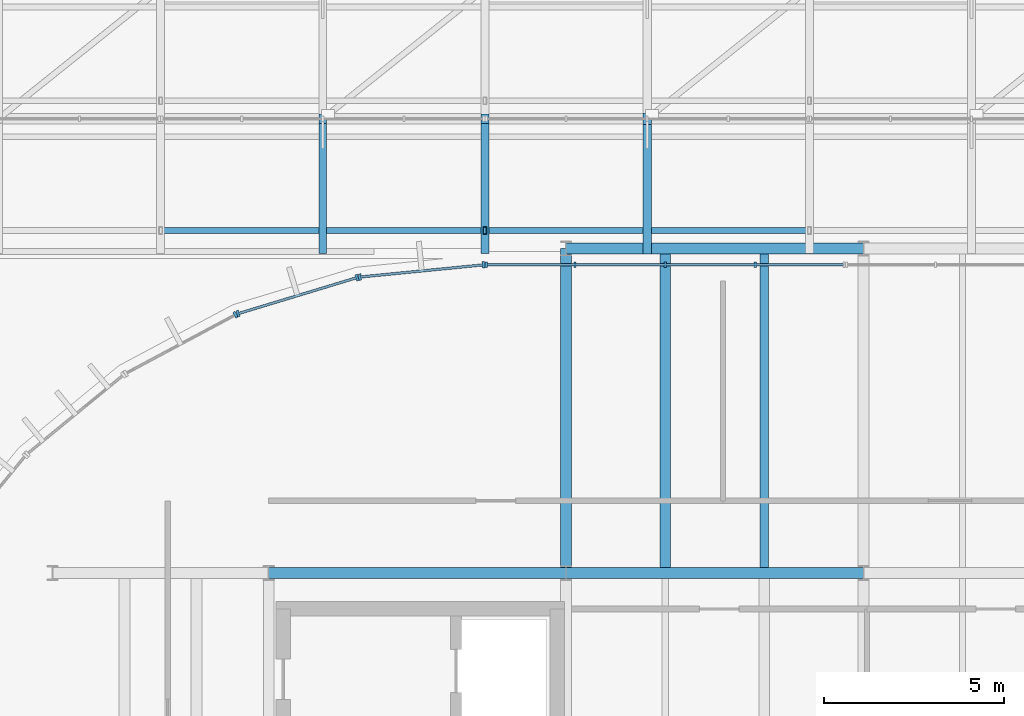
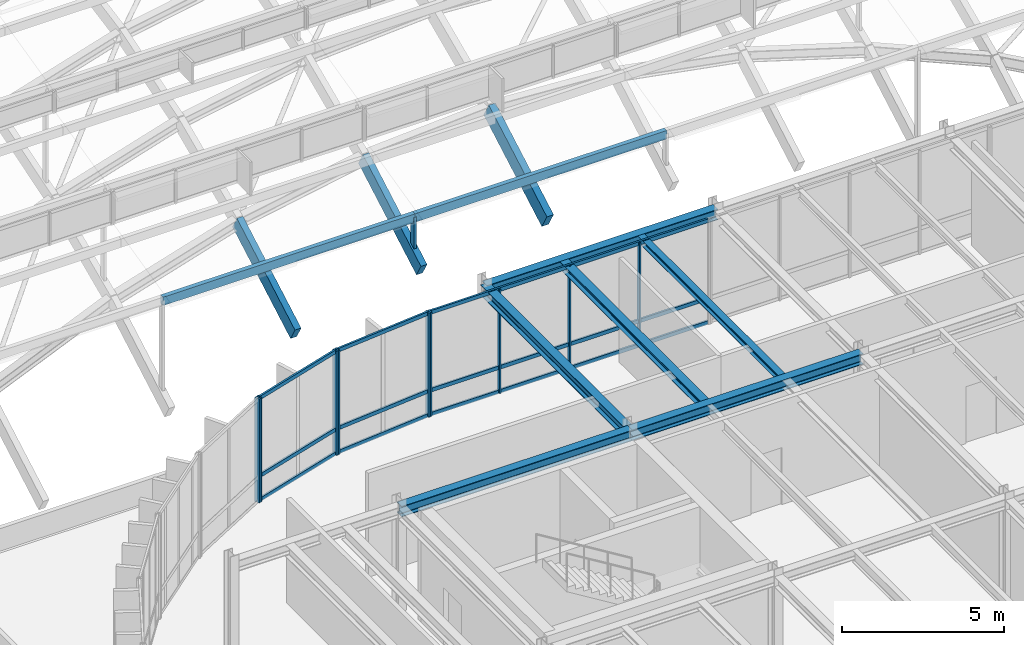
# One storey, part 18 of 69: 21 members, 9 beams, 4 elements without a shape of their own.
"""IFC4 building model written with IfcOpenShell, lengths in metres."""

from ifc_helpers import new_model, si_unit, direction, frame, origin, origin_2d, place, context, subcontext, project, spatial, rectangle, hollow_rectangle, i_section, extrude, material, layer, layer_set, material_profile, profile_set, type_object, element, aggregate, save


model = new_model("IFC4")

# Units and contexts
model_context = context("Model", 3, precision=1e-05, world=origin(), true_north=direction((0.0, 1.0)))
body_context = subcontext(model_context, "Body", "Model", "MODEL_VIEW")
ifc_project = project(units=[si_unit("LENGTHUNIT", "METRE"), si_unit("AREAUNIT", "SQUARE_METRE"), si_unit("VOLUMEUNIT", "CUBIC_METRE"), si_unit("PLANEANGLEUNIT", "RADIAN"), si_unit("MASSUNIT", "GRAM", prefix="KILO")], contexts=[model_context])

# Site, building, storey
site_placement = place(None, origin())
site = spatial("IfcSite", under=ifc_project, at=site_placement, CompositionType="ELEMENT")
building_placement = place(site_placement, origin())
building = spatial("IfcBuilding", under=site, at=building_placement, Name="Montealbar Specialist Clinic", CompositionType="ELEMENT")
storey_placement = place(building_placement, frame((0.0, 0.0, 9.60009765625)))
storey = spatial("IfcBuildingStorey", under=building, at=storey_placement, Name="L02", CompositionType="ELEMENT", Elevation=9.60009765625)

# Beams
ifc_material_1 = material(Name="Steel S355", Category="steel")
ifc_material_profile_1 = material_profile(ifc_material_1, i_section(OverallWidth=0.300048828125, OverallDepth=0.39990234375, WebThickness=0.013427734375, FlangeThickness=0.02392578125, FilletRadius=0.027099609375, at=origin_2d()), Name="HEB 400", Category="steel")
ifc_profile_set_1 = profile_set([ifc_material_profile_1], Name="Steel S355")
beam_type_1 = type_object("IfcBeamType", Name="BM-GIRD-HEB400", PredefinedType="BEAM", material=ifc_profile_set_1)
for number, where, z_axis, x_axis, name in (
    (1, (66.0, 36.0, 3.72998046875), (1.0, 0.0, 0.0), (0.0, 1.0, 0.0), "Beam GX-L02-660-742-360"),
    (2, (74.25, 36.0, 3.72998046875), (1.0, 0.0, 0.0), (0.0, 1.0, 0.0), "Beam GX-L02-742-825-360"),
):
    element("IfcBeam", number, at=place(storey_placement, frame(where, z_axis=z_axis, x_axis=x_axis)), inside=storey, type_object=beam_type_1, Name=name, PredefinedType="BEAM", context=body_context, shape_type="SweptSolid", body=[
        extrude(i_section(OverallWidth=0.300048828125, OverallDepth=0.39990234375, WebThickness=0.013427734375, FlangeThickness=0.02392578125, FilletRadius=0.027099609375, at=origin_2d()), origin(), (0.0, 0.0, 1.0), 8.25),
    ])
beam_1_placement = place(storey_placement, frame((74.25, 36.0, 3.72998046875), z_axis=(0.0, 1.0, 0.0), x_axis=(-1.0, 0.0, 0.0)))
element("IfcBeam", 3, at=beam_1_placement, inside=storey, type_object=beam_type_1, Name="Beam GY-L02-742-360-450", PredefinedType="BEAM", context=body_context, shape_type="SweptSolid", body=[
    extrude(i_section(OverallWidth=0.300048828125, OverallDepth=0.39990234375, WebThickness=0.013427734375, FlangeThickness=0.02392578125, FilletRadius=0.027099609375, at=origin_2d()), origin(), (0.0, 0.0, 1.0), 9.0),
])
ifc_material_profile_2 = material_profile(ifc_material_1, i_section(OverallWidth=0.300048828125, OverallDepth=0.39990234375, WebThickness=0.013427734375, FlangeThickness=0.02392578125, FilletRadius=0.027099609375, at=origin_2d()), Name="HEB 400", Category="steel")
ifc_profile_set_2 = profile_set([ifc_material_profile_2], Name="Steel S355")
beam_type_2 = type_object("IfcBeamType", Name="BM-GIRD-HEB400-EXT", PredefinedType="BEAM", material=ifc_profile_set_2)
beam_2_placement = place(storey_placement, frame((74.25, 45.0, 3.72998046875), z_axis=(1.0, 0.0, 0.0), x_axis=(0.0, 1.0, 0.0)))
element("IfcBeam", 4, at=beam_2_placement, inside=storey, type_object=beam_type_2, Name="Beam GX-L02-742-825-450", PredefinedType="BEAM", context=body_context, shape_type="SweptSolid", body=[
    extrude(i_section(OverallWidth=0.300048828125, OverallDepth=0.39990234375, WebThickness=0.013427734375, FlangeThickness=0.02392578125, FilletRadius=0.027099609375, at=origin_2d()), origin(), (0.0, 0.0, 1.0), 8.25),
])
ifc_material_2 = material(Name="Glulam GL28h", Category="wood")
ifc_material_profile_3 = material_profile(ifc_material_2, rectangle(XDim=0.219970703125, YDim=0.56005859375, at=origin_2d()), Name="GL28h 220x560", Category="wood")
ifc_profile_set_3 = profile_set([ifc_material_profile_3], Name="Glulam GL28h")
beam_type_3 = type_object("IfcBeamType", Name="BM-GL-220x560-EXT", PredefinedType="BEAM", material=ifc_profile_set_3)
for number, where, z_axis, x_axis, name in (
    (5, (67.5, 45.0, 4.40087890625), (0.0, 0.869922637782, 0.493188203706), (-1.0, 0.0, 0.0), "Gridshell Glulam Roof Truss Rib Y 3-0"),
    (6, (72.0, 45.0, 5.23291015625), (0.0, 0.869922637782, 0.493188203706), (-1.0, 0.0, 0.0), "Gridshell Glulam Roof Truss Rib Y 4-0"),
):
    element("IfcBeam", number, at=place(storey_placement, frame(where, z_axis=z_axis, x_axis=x_axis)), inside=storey, type_object=beam_type_3, Name=name, PredefinedType="BEAM", context=body_context, shape_type="SweptSolid", body=[
        extrude(rectangle(XDim=0.219970703125, YDim=0.56005859375, at=origin_2d()), origin(), (0.0, 0.0, 1.0), 4.138427734375),
    ])
ifc_material_profile_4 = material_profile(ifc_material_2, rectangle(XDim=0.239990234375, YDim=0.639892578125, at=origin_2d()), Name="GL28h 240x640", Category="wood")
ifc_profile_set_4 = profile_set([ifc_material_profile_4], Name="Glulam GL28h")
beam_type_4 = type_object("IfcBeamType", Name="BM-GL-240x640-EXT", PredefinedType="BEAM", material=ifc_profile_set_4)
beam_3_placement = place(storey_placement, frame((76.5, 45.0, 5.510009765625), z_axis=(0.0, 0.869947947814, 0.493143557288), x_axis=(-1.0, 0.0, 0.0)))
element("IfcBeam", 7, at=beam_3_placement, inside=storey, type_object=beam_type_4, Name="Gridshell Glulam Roof Truss Rib Y 5-0", PredefinedType="BEAM", context=body_context, shape_type="SweptSolid", body=[
    extrude(rectangle(XDim=0.239990234375, YDim=0.639892578125, at=origin_2d()), origin(), (0.0, 0.0, 1.0), 4.13818359375),
])
ifc_material_profile_5 = material_profile(ifc_material_1, i_section(OverallWidth=0.239990234375, OverallDepth=0.22998046875, WebThickness=0.007568359375, FlangeThickness=0.011962890625, FilletRadius=0.02099609375, at=origin_2d()), Name="HEA 240", Category="steel")
ifc_profile_set_5 = profile_set([ifc_material_profile_5], Name="Steel S355")
beam_type_5 = type_object("IfcBeamType", Name="BM-SPAND-HEA240", PredefinedType="SPANDREL", material=ifc_profile_set_5)
beam_4_placement = place(storey_placement, frame((79.75, 36.14990234375, 3.81494140625), z_axis=(0.0, 1.0, 0.0), x_axis=(-1.0, 0.0, 0.0)))
element("IfcBeam", 8, at=beam_4_placement, inside=storey, type_object=beam_type_5, Name="Beam JST-L02-798-362-448", PredefinedType="SPANDREL", context=body_context, shape_type="SweptSolid", body=[
    extrude(i_section(OverallWidth=0.239990234375, OverallDepth=0.22998046875, WebThickness=0.007568359375, FlangeThickness=0.011962890625, FilletRadius=0.02099609375, at=origin_2d()), origin(), (0.0, 0.0, 1.0), 8.7001953125),
])
ifc_material_profile_6 = material_profile(ifc_material_1, i_section(OverallWidth=0.300048828125, OverallDepth=0.2900390625, WebThickness=0.008544921875, FlangeThickness=0.013916015625, FilletRadius=0.027099609375, at=origin_2d()), Name="HEA 300", Category="steel")
ifc_profile_set_6 = profile_set([ifc_material_profile_6], Name="Steel S355")
beam_type_6 = type_object("IfcBeamType", Name="BM-SPAND-HEA300", PredefinedType="SPANDREL", material=ifc_profile_set_6)
beam_5_placement = place(storey_placement, frame((77.0, 36.14990234375, 3.784912109375), z_axis=(0.0, 1.0, 0.0), x_axis=(-1.0, 0.0, 0.0)))
element("IfcBeam", 9, at=beam_5_placement, inside=storey, type_object=beam_type_6, Name="Beam JST-L02-770-362-448", PredefinedType="SPANDREL", context=body_context, shape_type="SweptSolid", body=[
    extrude(i_section(OverallWidth=0.300048828125, OverallDepth=0.2900390625, WebThickness=0.008544921875, FlangeThickness=0.013916015625, FilletRadius=0.027099609375, at=origin_2d()), origin(), (0.0, 0.0, 1.0), 8.7001953125),
])

# Curtain wall, members
ifc_material_3 = material(Name="Low-E double glazing", Category="glass")
ifc_layer_1 = layer(ifc_material_3, 0.199951171875, Name="Low-E double glazing", Category="glass")
ifc_layer_set_1 = layer_set([ifc_layer_1], Name="Low-E double glazing")
curtain_wall_type_1 = type_object("IfcCurtainWallType", Name="CW-TYPE-13", PredefinedType="NOTDEFINED", material=ifc_layer_set_1)
curtain_wall_1_placement = place(storey_placement, origin())
curtain_wall_1 = element("IfcCurtainWall", 10, at=curtain_wall_1_placement, inside=storey, type_object=curtain_wall_type_1, Name="Unitised Curtain Wall CW-L02-720-446-820-446-96", PredefinedType="NOTDEFINED")
ifc_material_4 = material(Name="Anodised aluminium EN AW-6063", Category="aluminium")
ifc_material_profile_7 = material_profile(ifc_material_4, rectangle(XDim=0.06005859375, YDim=0.159912109375, at=origin_2d()), Name="ALU 60x160", Category="aluminium")
ifc_profile_set_7 = profile_set([ifc_material_profile_7], Name="Anodised aluminium EN AW-6063")
member_type_1 = type_object("IfcMemberType", Name="CW-MUL-160", PredefinedType="MULLION", material=ifc_profile_set_7)
member_1_placement = place(storey_placement, frame((72.034912109375, 44.550048828125, 0.0), z_axis=(0.0, 0.0, 1.0), x_axis=(1.0, 0.0, 0.0)))
member_1 = element("IfcMember", 11, at=member_1_placement, type_object=member_type_1, Name="Curtain Wall Mullion CW-L02-720-446-820-446-96-00", PredefinedType="MULLION", context=body_context, shape_type="SweptSolid", body=[
    extrude(rectangle(XDim=0.06005859375, YDim=0.159912109375, at=origin_2d()), origin(), (0.0, 0.0, 1.0), 3.929931640625),
])
member_2_placement = place(storey_placement, frame((74.5, 44.550048828125, 0.0), z_axis=(0.0, 0.0, 1.0), x_axis=(1.0, 0.0, 0.0)))
member_2 = element("IfcMember", 12, at=member_2_placement, type_object=member_type_1, Name="Curtain Wall Mullion CW-L02-720-446-820-446-96-01", PredefinedType="MULLION", context=body_context, shape_type="SweptSolid", body=[
    extrude(rectangle(XDim=0.06005859375, YDim=0.159912109375, at=origin_2d()), origin(), (0.0, 0.0, 1.0), 3.929931640625),
])
member_3_placement = place(storey_placement, frame((77.0, 44.550048828125, 0.0), z_axis=(0.0, 0.0, 1.0), x_axis=(1.0, 0.0, 0.0)))
member_3 = element("IfcMember", 13, at=member_3_placement, type_object=member_type_1, Name="Curtain Wall Mullion CW-L02-720-446-820-446-96-02", PredefinedType="MULLION", context=body_context, shape_type="SweptSolid", body=[
    extrude(rectangle(XDim=0.06005859375, YDim=0.159912109375, at=origin_2d()), origin(), (0.0, 0.0, 1.0), 3.929931640625),
])
member_4_placement = place(storey_placement, frame((79.5, 44.550048828125, 0.0), z_axis=(0.0, 0.0, 1.0), x_axis=(1.0, 0.0, 0.0)))
member_4 = element("IfcMember", 14, at=member_4_placement, type_object=member_type_1, Name="Curtain Wall Mullion CW-L02-720-446-820-446-96-03", PredefinedType="MULLION", context=body_context, shape_type="SweptSolid", body=[
    extrude(rectangle(XDim=0.06005859375, YDim=0.159912109375, at=origin_2d()), origin(), (0.0, 0.0, 1.0), 3.929931640625),
])

# Curtain wall, member
ifc_layer_2 = layer(ifc_material_3, 0.199951171875, Name="Low-E double glazing", Category="glass")
ifc_layer_set_2 = layer_set([ifc_layer_2], Name="Low-E double glazing")
curtain_wall_type_2 = type_object("IfcCurtainWallType", Name="CW-TYPE-12", PredefinedType="NOTDEFINED", material=ifc_layer_set_2)
curtain_wall_2_placement = place(storey_placement, origin())
curtain_wall_2 = element("IfcCurtainWall", 15, at=curtain_wall_2_placement, inside=storey, type_object=curtain_wall_type_2, Name="Unitised Curtain Wall CW-L02-620-415-651-432-96", PredefinedType="NOTDEFINED")
ifc_material_profile_8 = material_profile(ifc_material_4, rectangle(XDim=0.070068359375, YDim=0.179931640625, at=origin_2d()), Name="ALU 70x180", Category="aluminium")
ifc_profile_set_8 = profile_set([ifc_material_profile_8], Name="Anodised aluminium EN AW-6063")
member_type_2 = type_object("IfcMemberType", Name="CW-MUL-200", PredefinedType="MULLION", material=ifc_profile_set_8)
member_5_placement = place(storey_placement, frame((65.076904296875, 43.160888671875, 0.0), z_axis=(0.0, 0.0, 1.0), x_axis=(0.881850411644, 0.471529268958, 0.0)))
member_5 = element("IfcMember", 16, at=member_5_placement, type_object=member_type_2, Name="Curtain Wall Mullion CW-L02-620-415-651-432-96-01", PredefinedType="MULLION", context=body_context, shape_type="SweptSolid", body=[
    extrude(rectangle(XDim=0.070068359375, YDim=0.179931640625, at=origin_2d()), origin(), (0.0, 0.0, 1.0), 3.929931640625),
])
aggregate(curtain_wall_2, [member_5])

# Curtain wall, members
curtain_wall_3_placement = place(storey_placement, origin())
curtain_wall_3 = element("IfcCurtainWall", 17, at=curtain_wall_3_placement, inside=storey, type_object=curtain_wall_type_2, Name="Unitised Curtain Wall CW-L02-651-432-685-442-96", PredefinedType="NOTDEFINED")
member_6_placement = place(storey_placement, frame((65.14990234375, 43.19189453125, 0.0), z_axis=(0.0, 0.0, 1.0), x_axis=(0.956948083701, 0.290259134399, 0.0)))
member_6 = element("IfcMember", 18, at=member_6_placement, type_object=member_type_2, Name="Curtain Wall Mullion CW-L02-651-432-685-442-96-00", PredefinedType="MULLION", context=body_context, shape_type="SweptSolid", body=[
    extrude(rectangle(XDim=0.070068359375, YDim=0.179931640625, at=origin_2d()), origin(), (0.0, 0.0, 1.0), 3.929931640625),
])
member_7_placement = place(storey_placement, frame((68.449951171875, 44.19189453125, 0.0), z_axis=(0.0, 0.0, 1.0), x_axis=(0.956948083701, 0.290259134399, 0.0)))
member_7 = element("IfcMember", 19, at=member_7_placement, type_object=member_type_2, Name="Curtain Wall Mullion CW-L02-651-432-685-442-96-01", PredefinedType="MULLION", context=body_context, shape_type="SweptSolid", body=[
    extrude(rectangle(XDim=0.070068359375, YDim=0.179931640625, at=origin_2d()), origin(), (0.0, 0.0, 1.0), 3.929931640625),
])

curtain_wall_4_placement = place(storey_placement, origin())
curtain_wall_4 = element("IfcCurtainWall", 20, at=curtain_wall_4_placement, inside=storey, type_object=curtain_wall_type_2, Name="Unitised Curtain Wall CW-L02-685-442-720-446-96", PredefinedType="NOTDEFINED")
member_8_placement = place(storey_placement, frame((68.528076171875, 44.2080078125, 0.0), z_axis=(0.0, 0.0, 1.0), x_axis=(0.995182012183, 0.098044697094, 0.0)))
member_8 = element("IfcMember", 21, at=member_8_placement, type_object=member_type_2, Name="Curtain Wall Mullion CW-L02-685-442-720-446-96-00", PredefinedType="MULLION", context=body_context, shape_type="SweptSolid", body=[
    extrude(rectangle(XDim=0.070068359375, YDim=0.179931640625, at=origin_2d()), origin(), (0.0, 0.0, 1.0), 3.929931640625),
])
member_9_placement = place(storey_placement, frame((71.9599609375, 44.5458984375, 0.0), z_axis=(0.0, 0.0, 1.0), x_axis=(0.995182012183, 0.098044697094, 0.0)))
member_9 = element("IfcMember", 22, at=member_9_placement, type_object=member_type_2, Name="Curtain Wall Mullion CW-L02-685-442-720-446-96-01", PredefinedType="MULLION", context=body_context, shape_type="SweptSolid", body=[
    extrude(rectangle(XDim=0.070068359375, YDim=0.179931640625, at=origin_2d()), origin(), (0.0, 0.0, 1.0), 3.929931640625),
])

# Member
ifc_material_5 = material(Name="Powder-coated aluminium", Category="aluminium")
ifc_material_profile_9 = material_profile(ifc_material_5, rectangle(XDim=0.070068359375, YDim=0.139892578125, at=origin_2d()), Name="ALU 70x140", Category="aluminium")
ifc_profile_set_9 = profile_set([ifc_material_profile_9], Name="Powder-coated aluminium")
member_type_3 = type_object("IfcMemberType", Name="CW-TRN-140", PredefinedType="USERDEFINED", material=ifc_profile_set_9)
member_10_placement = place(storey_placement, frame((65.159912109375, 43.195068359375, 0.039794921875), z_axis=(0.957028598092, 0.289993555849, 0.0), x_axis=(-0.289993555849, 0.957028598092, 0.0)))
member_10 = element("IfcMember", 23, at=member_10_placement, type_object=member_type_3, Name="Curtain Wall Transom CW-L02-651-432-685-442-96-00", ObjectType="TRANSOM", PredefinedType="USERDEFINED", context=body_context, shape_type="SweptSolid", body=[
    extrude(rectangle(XDim=0.070068359375, YDim=0.139892578125, at=origin_2d()), origin(), (0.0, 0.0, 1.0), 3.42724609375),
])

member_11_placement = place(storey_placement, frame((65.159912109375, 43.195068359375, 0.949951171875), z_axis=(0.957028598092, 0.289993555849, 0.0), x_axis=(-0.289993555849, 0.957028598092, 0.0)))
member_11 = element("IfcMember", 24, at=member_11_placement, type_object=member_type_3, Name="Curtain Wall Transom CW-L02-651-432-685-442-96-01", ObjectType="TRANSOM", PredefinedType="USERDEFINED", context=body_context, shape_type="SweptSolid", body=[
    extrude(rectangle(XDim=0.070068359375, YDim=0.139892578125, at=origin_2d()), origin(), (0.0, 0.0, 1.0), 3.42724609375),
])

member_12_placement = place(storey_placement, frame((65.159912109375, 43.195068359375, 3.889892578125), z_axis=(0.957028598092, 0.289993555849, 0.0), x_axis=(-0.289993555849, 0.957028598092, 0.0)))
member_12 = element("IfcMember", 25, at=member_12_placement, type_object=member_type_3, Name="Curtain Wall Transom CW-L02-651-432-685-442-96-02", ObjectType="TRANSOM", PredefinedType="USERDEFINED", context=body_context, shape_type="SweptSolid", body=[
    extrude(rectangle(XDim=0.070068359375, YDim=0.139892578125, at=origin_2d()), origin(), (0.0, 0.0, 1.0), 3.42724609375),
])

aggregate(curtain_wall_3, [member_6, member_7, member_10, member_11, member_12])

member_13_placement = place(storey_placement, frame((68.5380859375, 44.208984375, 0.039794921875), z_axis=(0.995187625394, 0.097987704654, 0.0), x_axis=(-0.097987704654, 0.995187625394, 0.0)))
member_13 = element("IfcMember", 26, at=member_13_placement, type_object=member_type_3, Name="Curtain Wall Transom CW-L02-685-442-720-446-96-00", ObjectType="TRANSOM", PredefinedType="USERDEFINED", context=body_context, shape_type="SweptSolid", body=[
    extrude(rectangle(XDim=0.070068359375, YDim=0.139892578125, at=origin_2d()), origin(), (0.0, 0.0, 1.0), 3.428466796875),
])

member_14_placement = place(storey_placement, frame((68.5380859375, 44.208984375, 0.949951171875), z_axis=(0.995187625394, 0.097987704654, 0.0), x_axis=(-0.097987704654, 0.995187625394, 0.0)))
member_14 = element("IfcMember", 27, at=member_14_placement, type_object=member_type_3, Name="Curtain Wall Transom CW-L02-685-442-720-446-96-01", ObjectType="TRANSOM", PredefinedType="USERDEFINED", context=body_context, shape_type="SweptSolid", body=[
    extrude(rectangle(XDim=0.070068359375, YDim=0.139892578125, at=origin_2d()), origin(), (0.0, 0.0, 1.0), 3.428466796875),
])

member_15_placement = place(storey_placement, frame((68.5380859375, 44.208984375, 3.889892578125), z_axis=(0.995187625394, 0.097987704654, 0.0), x_axis=(-0.097987704654, 0.995187625394, 0.0)))
member_15 = element("IfcMember", 28, at=member_15_placement, type_object=member_type_3, Name="Curtain Wall Transom CW-L02-685-442-720-446-96-02", ObjectType="TRANSOM", PredefinedType="USERDEFINED", context=body_context, shape_type="SweptSolid", body=[
    extrude(rectangle(XDim=0.070068359375, YDim=0.139892578125, at=origin_2d()), origin(), (0.0, 0.0, 1.0), 3.428466796875),
])

aggregate(curtain_wall_4, [member_8, member_9, member_13, member_14, member_15])

member_16_placement = place(storey_placement, frame((72.050048828125, 44.550048828125, 0.039794921875), z_axis=(1.0, 0.0, 0.0), x_axis=(0.0, 1.0, 0.0)))
member_16 = element("IfcMember", 29, at=member_16_placement, type_object=member_type_3, Name="Curtain Wall Transom CW-L02-720-446-820-446-96-00", ObjectType="TRANSOM", PredefinedType="USERDEFINED", context=body_context, shape_type="SweptSolid", body=[
    extrude(rectangle(XDim=0.070068359375, YDim=0.139892578125, at=origin_2d()), origin(), (0.0, 0.0, 1.0), 9.89990234375),
])

member_17_placement = place(storey_placement, frame((72.050048828125, 44.550048828125, 0.949951171875), z_axis=(1.0, 0.0, 0.0), x_axis=(0.0, 1.0, 0.0)))
member_17 = element("IfcMember", 30, at=member_17_placement, type_object=member_type_3, Name="Curtain Wall Transom CW-L02-720-446-820-446-96-01", ObjectType="TRANSOM", PredefinedType="USERDEFINED", context=body_context, shape_type="SweptSolid", body=[
    extrude(rectangle(XDim=0.070068359375, YDim=0.139892578125, at=origin_2d()), origin(), (0.0, 0.0, 1.0), 9.89990234375),
])

member_18_placement = place(storey_placement, frame((72.050048828125, 44.550048828125, 3.889892578125), z_axis=(1.0, 0.0, 0.0), x_axis=(0.0, 1.0, 0.0)))
member_18 = element("IfcMember", 31, at=member_18_placement, type_object=member_type_3, Name="Curtain Wall Transom CW-L02-720-446-820-446-96-02", ObjectType="TRANSOM", PredefinedType="USERDEFINED", context=body_context, shape_type="SweptSolid", body=[
    extrude(rectangle(XDim=0.070068359375, YDim=0.139892578125, at=origin_2d()), origin(), (0.0, 0.0, 1.0), 9.89990234375),
])

aggregate(curtain_wall_1, [member_1, member_2, member_3, member_4, member_16, member_17, member_18])

# Members
ifc_material_profile_10 = material_profile(ifc_material_2, rectangle(XDim=0.159912109375, YDim=0.320068359375, at=origin_2d()), Name="GL28h 160x320", Category="wood")
ifc_profile_set_10 = profile_set([ifc_material_profile_10], Name="Glulam GL28h")
member_type_4 = type_object("IfcMemberType", Name="MB-GS-PURLIN-GL-EXT", PredefinedType="PURLIN", material=ifc_profile_set_10)
for number, where, z_axis, x_axis, name in (
    (32, (63.0, 45.5, 6.9248046875), (1.0, 0.0, 0.0), (0.0, 1.0, 0.0), "Gridshell Glulam Purlin 1-2-1"),
    (33, (72.0, 45.5, 6.9248046875), (1.0, 0.0, 0.0), (0.0, 1.0, 0.0), "Gridshell Glulam Purlin 1-3-1"),
):
    element("IfcMember", number, at=place(storey_placement, frame(where, z_axis=z_axis, x_axis=x_axis)), inside=storey, type_object=member_type_4, Name=name, PredefinedType="PURLIN", context=body_context, shape_type="SweptSolid", body=[
        extrude(rectangle(XDim=0.159912109375, YDim=0.320068359375, at=origin_2d()), origin(), (0.0, 0.0, 1.0), 9.0),
    ])
ifc_material_profile_11 = material_profile(ifc_material_1, hollow_rectangle(XDim=0.10009765625, YDim=0.199951171875, WallThickness=0.008056640625, at=origin_2d()), Name="RHS 200x100x8", Category="steel")
ifc_profile_set_11 = profile_set([ifc_material_profile_11], Name="Steel S355")
member_type_5 = type_object("IfcMemberType", Name="MB-GS-PURLIN-ST-EXT", PredefinedType="PURLIN", material=ifc_profile_set_11)
member_19_placement = place(storey_placement, frame((72.0, 45.5, 5.23291015625), z_axis=(0.0, 0.0, 1.0), x_axis=(1.0, 0.0, 0.0)))
element("IfcMember", 34, at=member_19_placement, inside=storey, type_object=member_type_5, Name="Gridshell Monitor Post 1-4", PredefinedType="PURLIN", context=body_context, shape_type="SweptSolid", body=[
    extrude(hollow_rectangle(XDim=0.10009765625, YDim=0.199951171875, WallThickness=0.008056640625, at=origin_2d()), origin(), (0.0, 0.0, 1.0), 1.73388671875),
])

save(model, "model.ifc")
